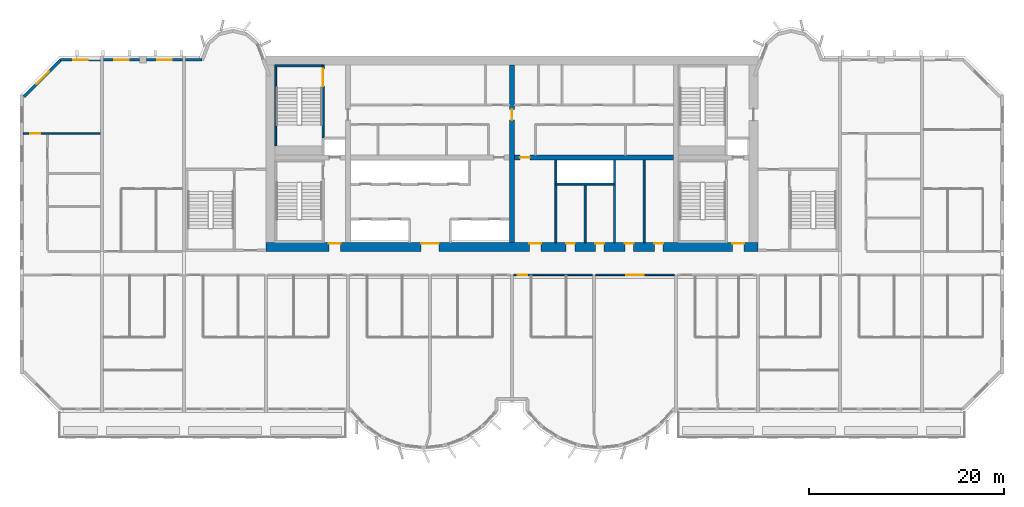
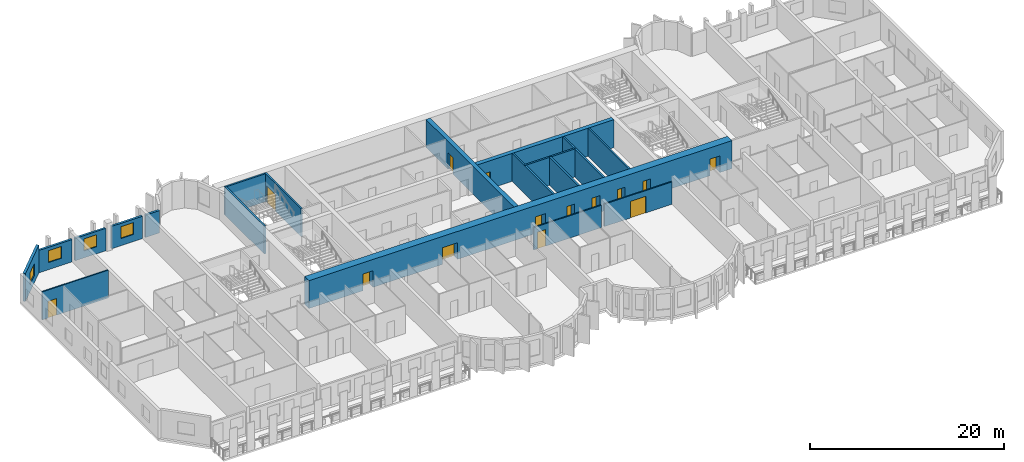
# One storey, part 6 of 14: 19 walls, 14 doors, 4 windows, 18 openings.
"""IFC4 building model written with IfcOpenShell, lengths in metres."""

from ifc_helpers import new_model, si_unit, direction, frame, frame_2d, origin, place, context, subcontext, project, spatial, rectangle, extrude, source, transform, mapped, material, layer, layer_set, type_object, element, fill, save


model = new_model("IFC4")

# Units and contexts
model_context = context("Model", 3, precision=1e-05, world=origin(), true_north=direction((0.0, 1.0)))
body_context = subcontext(model_context, "Body", "Model", "MODEL_VIEW")
ifc_project = project(units=[si_unit("LENGTHUNIT", "METRE"), si_unit("AREAUNIT", "SQUARE_METRE"), si_unit("VOLUMEUNIT", "CUBIC_METRE"), si_unit("PLANEANGLEUNIT", "RADIAN"), si_unit("MASSUNIT", "GRAM", prefix="KILO")], contexts=[model_context])

# Site, building, storey
site_placement = place(None, origin())
site = spatial("IfcSite", under=ifc_project, at=site_placement, CompositionType="ELEMENT")
building_placement = place(site_placement, origin())
building = spatial("IfcBuilding", under=site, at=building_placement, Name="Vanashikhar Sky Hotel", CompositionType="ELEMENT")
storey_placement = place(building_placement, frame((0.0, 0.0, 118.0)))
storey = spatial("IfcBuildingStorey", under=building, at=storey_placement, Name="L28", CompositionType="ELEMENT", Elevation=118.0)

# Wall, openings, doors
ifc_material_1 = material(Name="Concrete M70", Category="concrete")
ifc_layer_1 = layer(ifc_material_1, 0.89990234375)
ifc_layer_set_1 = layer_set([ifc_layer_1], Name="RC core shell wall 900 Concrete M70")
wall_type_1 = type_object("IfcWallType", Name="RC core shell wall 900 Concrete M70", PredefinedType="SHEAR", material=ifc_layer_set_1)
shared_shape_1 = source(origin(), body_context, "Body", "SweptSolid", [
    extrude(rectangle(XDim=50.400146484375, YDim=0.89990234375, at=frame_2d((25.2001953125, 0.0))), origin(), (0.0, 0.0, 1.0), 3.52001953125),
])
wall_1_placement = place(storey_placement, frame((25.199951171875, 22.449951171875, 0.0), z_axis=(0.0, 0.0, 1.0), x_axis=(1.0, 0.0, 0.0)))
wall_1 = element("IfcWall", 1, at=wall_1_placement, inside=storey, type_object=wall_type_1, Name="KW-L28-KS", PredefinedType="SHEAR", context=body_context, shape_type="MappedRepresentation", body=[
    mapped(shared_shape_1, transform((0.0, 0.0, 0.0), scale=1.0)),
])
shared_shape_2 = source(origin(), body_context, "Body", "SweptSolid", [
    extrude(rectangle(XDim=1.800048828125, YDim=2.10009765625, at=frame_2d((0.89990234375, 1.050048828125))), frame((0.0, 0.4599609375, 0.0), z_axis=(0.0, -1.0, 0.0), x_axis=(1.0, 0.0, 0.0)), (0.0, 0.0, 1.0), 0.919921875),
])
opening_1_placement = place(wall_1_placement, frame((15.89990234375, 0.0, 0.0)))
opening_1 = element("IfcOpeningElement", 2, at=opening_1_placement, cuts=wall_1, Name="Opening DC-3-A", PredefinedType="OPENING", context=body_context, shape_type="MappedRepresentation", body=[
    mapped(shared_shape_2, transform((0.0, 0.0, 0.0), scale=1.0)),
])
shared_shape_3 = source(origin(), body_context, "Body", "SweptSolid", [
    extrude(rectangle(XDim=1.199951171875, YDim=2.10009765625, at=frame_2d((0.60009765625, 1.050048828125))), frame((0.0, 0.4599609375, 0.0), z_axis=(0.0, -1.0, 0.0), x_axis=(1.0, 0.0, 0.0)), (0.0, 0.0, 1.0), 0.919921875),
])
opening_2_placement = place(wall_1_placement, frame((26.97509765625, 0.0, 0.0)))
opening_2 = element("IfcOpeningElement", 3, at=opening_2_placement, cuts=wall_1, Name="Opening DC-4-B", PredefinedType="OPENING", context=body_context, shape_type="MappedRepresentation", body=[
    mapped(shared_shape_3, transform((0.0, 0.0, 0.0), scale=1.0)),
])
shared_shape_4 = source(origin(), body_context, "Body", "SweptSolid", [
    extrude(rectangle(XDim=0.89990234375, YDim=2.10009765625, at=frame_2d((0.449951171875, 1.050048828125))), frame((0.0, 0.4599609375, 0.0), z_axis=(0.0, -1.0, 0.0), x_axis=(1.0, 0.0, 0.0)), (0.0, 0.0, 1.0), 0.919921875),
])
opening_3_placement = place(wall_1_placement, frame((33.75, 0.0, 0.0)))
opening_3 = element("IfcOpeningElement", 4, at=opening_3_placement, cuts=wall_1, Name="Opening DC-4-A", PredefinedType="OPENING", context=body_context, shape_type="MappedRepresentation", body=[
    mapped(shared_shape_4, transform((0.0, 0.0, 0.0), scale=1.0)),
])
opening_4_placement = place(wall_1_placement, frame((30.75, 0.0, 0.0)))
opening_4 = element("IfcOpeningElement", 5, at=opening_4_placement, cuts=wall_1, Name="Opening DC-4-A", PredefinedType="OPENING", context=body_context, shape_type="MappedRepresentation", body=[
    mapped(shared_shape_4, transform((0.0, 0.0, 0.0), scale=1.0)),
])
opening_5_placement = place(wall_1_placement, frame((39.7880859375, 0.0, 0.0)))
opening_5 = element("IfcOpeningElement", 6, at=opening_5_placement, cuts=wall_1, Name="Opening DC-4-A", PredefinedType="OPENING", context=body_context, shape_type="MappedRepresentation", body=[
    mapped(shared_shape_4, transform((0.0, 0.0, 0.0), scale=1.0)),
])
opening_6_placement = place(wall_1_placement, frame((36.761962890625, 0.0, 0.0)))
opening_6 = element("IfcOpeningElement", 7, at=opening_6_placement, cuts=wall_1, Name="Opening DC-4-A", PredefinedType="OPENING", context=body_context, shape_type="MappedRepresentation", body=[
    mapped(shared_shape_4, transform((0.0, 0.0, 0.0), scale=1.0)),
])
opening_7_placement = place(wall_1_placement, frame((6.449951171875, 0.0, 0.0)))
opening_7 = element("IfcOpeningElement", 8, at=opening_7_placement, cuts=wall_1, Name="Opening DC-2", PredefinedType="OPENING", context=body_context, shape_type="MappedRepresentation", body=[
    mapped(shared_shape_3, transform((0.0, 0.0, 0.0), scale=1.0)),
])
opening_8_placement = place(wall_1_placement, frame((47.77490234375, 0.0, 0.0)))
opening_8 = element("IfcOpeningElement", 9, at=opening_8_placement, cuts=wall_1, Name="Opening DC-2", PredefinedType="OPENING", context=body_context, shape_type="MappedRepresentation", body=[
    mapped(shared_shape_3, transform((0.0, 0.0, 0.0), scale=1.0)),
])
ifc_material_2 = material(Name="Glass", Category="glass")
door_type_1 = type_object("IfcDoorType", Name="Lift lobby entrance door 1800 FD30S", OperationType="NOTDEFINED", PredefinedType="DOOR", material=ifc_material_2)
shared_shape_5 = source(origin(), body_context, "Body", "SweptSolid", [
    extrude(rectangle(XDim=1.800048828125, YDim=2.10009765625, at=frame_2d((0.89990234375, 1.050048828125))), frame((0.0, 0.375, 0.0), z_axis=(0.0, -1.0, 0.0), x_axis=(1.0, 0.0, 0.0)), (0.0, 0.0, 1.0), 0.050048828125),
])
door_1_placement = place(opening_1_placement, origin())
door_1 = element("IfcDoor", 10, at=door_1_placement, inside=storey, type_object=door_type_1, Name="Lift lobby entrance door 1800 FD30S", OperationType="DOUBLE_DOOR_SINGLE_SWING", OverallHeight=2.10009765625, OverallWidth=1.800048828125, PredefinedType="DOOR", context=body_context, shape_type="MappedRepresentation", body=[
    mapped(shared_shape_5, transform((0.0, 0.0, 0.0), scale=1.0)),
])
fill(opening_1, door_1)
ifc_material_3 = material(Name="Steel", Category="steel")
door_type_2 = type_object("IfcDoorType", Name="Service door 1200 FD60", OperationType="NOTDEFINED", PredefinedType="DOOR", material=ifc_material_3)
shared_shape_6 = source(origin(), body_context, "Body", "SweptSolid", [
    extrude(rectangle(XDim=1.199951171875, YDim=2.10009765625, at=frame_2d((0.60009765625, 1.050048828125))), frame((0.0, 0.375, 0.0), z_axis=(0.0, -1.0, 0.0), x_axis=(1.0, 0.0, 0.0)), (0.0, 0.0, 1.0), 0.050048828125),
])
door_2_placement = place(opening_2_placement, origin())
door_2 = element("IfcDoor", 11, at=door_2_placement, inside=storey, type_object=door_type_2, Name="Service door 1200 FD60", OperationType="SINGLE_SWING_RIGHT", OverallHeight=2.10009765625, OverallWidth=1.199951171875, PredefinedType="DOOR", context=body_context, shape_type="MappedRepresentation", body=[
    mapped(shared_shape_6, transform((0.0, 0.0, 0.0), scale=1.0)),
])
fill(opening_2, door_2)
door_type_3 = type_object("IfcDoorType", Name="Firefighting lobby door 1200 FD120", OperationType="NOTDEFINED", PredefinedType="DOOR", material=ifc_material_3)
door_3_placement = place(opening_7_placement, origin())
door_3 = element("IfcDoor", 12, at=door_3_placement, inside=storey, type_object=door_type_3, Name="Firefighting lobby door 1200 FD120", OperationType="SINGLE_SWING_LEFT", OverallHeight=2.10009765625, OverallWidth=1.199951171875, PredefinedType="DOOR", context=body_context, shape_type="MappedRepresentation", body=[
    mapped(shared_shape_6, transform((0.0, 0.0, 0.0), scale=1.0)),
])
fill(opening_7, door_3)
door_4_placement = place(opening_8_placement, origin())
door_4 = element("IfcDoor", 13, at=door_4_placement, inside=storey, type_object=door_type_3, Name="Firefighting lobby door 1200 FD120", OperationType="SINGLE_SWING_LEFT", OverallHeight=2.10009765625, OverallWidth=1.199951171875, PredefinedType="DOOR", context=body_context, shape_type="MappedRepresentation", body=[
    mapped(shared_shape_6, transform((0.0, 0.0, 0.0), scale=1.0)),
])
fill(opening_8, door_4)
door_type_4 = type_object("IfcDoorType", Name="Service door 900 FD60", OperationType="NOTDEFINED", PredefinedType="DOOR", material=ifc_material_3)
shared_shape_7 = source(origin(), body_context, "Body", "SweptSolid", [
    extrude(rectangle(XDim=0.89990234375, YDim=2.10009765625, at=frame_2d((0.449951171875, 1.050048828125))), frame((0.0, 0.375, 0.0), z_axis=(0.0, -1.0, 0.0), x_axis=(1.0, 0.0, 0.0)), (0.0, 0.0, 1.0), 0.050048828125),
])
door_5_placement = place(opening_3_placement, origin())
door_5 = element("IfcDoor", 14, at=door_5_placement, inside=storey, type_object=door_type_4, Name="Service door 900 FD60", OperationType="SINGLE_SWING_RIGHT", OverallHeight=2.10009765625, OverallWidth=0.89990234375, PredefinedType="DOOR", context=body_context, shape_type="MappedRepresentation", body=[
    mapped(shared_shape_7, transform((0.0, 0.0, 0.0), scale=1.0)),
])
fill(opening_3, door_5)
door_6_placement = place(opening_4_placement, origin())
door_6 = element("IfcDoor", 15, at=door_6_placement, inside=storey, type_object=door_type_4, Name="Service door 900 FD60", OperationType="SINGLE_SWING_LEFT", OverallHeight=2.10009765625, OverallWidth=0.89990234375, PredefinedType="DOOR", context=body_context, shape_type="MappedRepresentation", body=[
    mapped(shared_shape_7, transform((0.0, 0.0, 0.0), scale=1.0)),
])
fill(opening_4, door_6)
door_7_placement = place(opening_5_placement, origin())
door_7 = element("IfcDoor", 16, at=door_7_placement, inside=storey, type_object=door_type_4, Name="Service door 900 FD60", OperationType="SINGLE_SWING_RIGHT", OverallHeight=2.10009765625, OverallWidth=0.89990234375, PredefinedType="DOOR", context=body_context, shape_type="MappedRepresentation", body=[
    mapped(shared_shape_7, transform((0.0, 0.0, 0.0), scale=1.0)),
])
fill(opening_5, door_7)
door_8_placement = place(opening_6_placement, origin())
door_8 = element("IfcDoor", 17, at=door_8_placement, inside=storey, type_object=door_type_4, Name="Service door 900 FD60", OperationType="SINGLE_SWING_LEFT", OverallHeight=2.10009765625, OverallWidth=0.89990234375, PredefinedType="DOOR", context=body_context, shape_type="MappedRepresentation", body=[
    mapped(shared_shape_7, transform((0.0, 0.0, 0.0), scale=1.0)),
])
fill(opening_6, door_8)

# Wall, opening, door
ifc_layer_2 = layer(ifc_material_1, 0.5)
ifc_layer_set_2 = layer_set([ifc_layer_2], Name="RC core inner wall 500 Concrete M70")
wall_type_2 = type_object("IfcWallType", Name="RC core inner wall 500 Concrete M70", PredefinedType="SHEAR", material=ifc_layer_set_2)
shared_shape_8 = source(origin(), body_context, "Body", "SweptSolid", [
    extrude(rectangle(XDim=18.2001953125, YDim=0.5, at=frame_2d((9.10009765625, 0.0))), origin(), (0.0, 0.0, 1.0), 3.52001953125),
])
wall_2_placement = place(storey_placement, frame((50.39990234375, 22.89990234375, 0.0), z_axis=(0.0, 0.0, 1.0), x_axis=(0.0, 1.0, 0.0)))
wall_2 = element("IfcWall", 18, at=wall_2_placement, inside=storey, type_object=wall_type_2, Name="KW-L28-KX2", PredefinedType="SHEAR", context=body_context, shape_type="MappedRepresentation", body=[
    mapped(shared_shape_8, transform((0.0, 0.0, 0.0), scale=1.0)),
])
shared_shape_9 = source(origin(), body_context, "Body", "SweptSolid", [
    extrude(rectangle(XDim=1.10009765625, YDim=2.10009765625, at=frame_2d((0.550048828125, 1.050048828125))), frame((0.0, 0.260009765625, 0.0), z_axis=(0.0, -1.0, 0.0), x_axis=(1.0, 0.0, 0.0)), (0.0, 0.0, 1.0), 0.52001953125),
])
opening_9_placement = place(wall_2_placement, frame((12.550048828125, 0.0, 0.0)))
opening_9 = element("IfcOpeningElement", 19, at=opening_9_placement, cuts=wall_2, Name="Opening DC-4-C", PredefinedType="OPENING", context=body_context, shape_type="MappedRepresentation", body=[
    mapped(shared_shape_9, transform((0.0, 0.0, 0.0), scale=1.0)),
])
door_type_5 = type_object("IfcDoorType", Name="Service door 1100 FD60", OperationType="NOTDEFINED", PredefinedType="DOOR", material=ifc_material_3)
shared_shape_10 = source(origin(), body_context, "Body", "SweptSolid", [
    extrude(rectangle(XDim=1.10009765625, YDim=2.10009765625, at=frame_2d((0.550048828125, 1.050048828125))), frame((0.0, 0.02490234375, 0.0), z_axis=(0.0, -1.0, 0.0), x_axis=(1.0, 0.0, 0.0)), (0.0, 0.0, 1.0), 0.050048828125),
])
door_9_placement = place(opening_9_placement, origin())
door_9 = element("IfcDoor", 20, at=door_9_placement, inside=storey, type_object=door_type_5, Name="Service door 1100 FD60", OperationType="SINGLE_SWING_RIGHT", OverallHeight=2.10009765625, OverallWidth=1.10009765625, PredefinedType="DOOR", context=body_context, shape_type="MappedRepresentation", body=[
    mapped(shared_shape_10, transform((0.0, 0.0, 0.0), scale=1.0)),
])
fill(opening_9, door_9)

shared_shape_11 = source(origin(), body_context, "Body", "SweptSolid", [
    extrude(rectangle(XDim=16.300048828125, YDim=0.5, at=frame_2d((8.14990234375, 0.0))), origin(), (0.0, 0.0, 1.0), 3.52001953125),
])
wall_3_placement = place(storey_placement, frame((50.64990234375, 31.60009765625, 0.0), z_axis=(0.0, 0.0, 1.0), x_axis=(1.0, 0.0, 0.0)))
wall_3 = element("IfcWall", 21, at=wall_3_placement, inside=storey, type_object=wall_type_2, Name="KW-L28-KY3", PredefinedType="SHEAR", context=body_context, shape_type="MappedRepresentation", body=[
    mapped(shared_shape_11, transform((0.0, 0.0, 0.0), scale=1.0)),
])
shared_shape_12 = source(origin(), body_context, "Body", "SweptSolid", [
    extrude(rectangle(XDim=1.0, YDim=2.10009765625, at=frame_2d((0.5, 1.050048828125))), frame((0.0, 0.260009765625, 0.0), z_axis=(0.0, -1.0, 0.0), x_axis=(1.0, 0.0, 0.0)), (0.0, 0.0, 1.0), 0.52001953125),
])
opening_10_placement = place(wall_3_placement, frame((0.574951171875, 0.0, 0.0)))
opening_10 = element("IfcOpeningElement", 22, at=opening_10_placement, cuts=wall_3, Name="Opening DC-4", PredefinedType="OPENING", context=body_context, shape_type="MappedRepresentation", body=[
    mapped(shared_shape_12, transform((0.0, 0.0, 0.0), scale=1.0)),
])
door_type_6 = type_object("IfcDoorType", Name="Service door 1000 FD60", OperationType="NOTDEFINED", PredefinedType="DOOR", material=ifc_material_3)
shared_shape_13 = source(origin(), body_context, "Body", "SweptSolid", [
    extrude(rectangle(XDim=1.0, YDim=2.10009765625, at=frame_2d((0.5, 1.050048828125))), frame((0.0, 0.02490234375, 0.0), z_axis=(0.0, -1.0, 0.0), x_axis=(1.0, 0.0, 0.0)), (0.0, 0.0, 1.0), 0.050048828125),
])
door_10_placement = place(opening_10_placement, origin())
door_10 = element("IfcDoor", 23, at=door_10_placement, inside=storey, type_object=door_type_6, Name="Service door 1000 FD60", OperationType="SINGLE_SWING_RIGHT", OverallHeight=2.10009765625, OverallWidth=1.0, PredefinedType="DOOR", context=body_context, shape_type="MappedRepresentation", body=[
    mapped(shared_shape_13, transform((0.0, 0.0, 0.0), scale=1.0)),
])
fill(opening_10, door_10)

# Wall, opening, window
ifc_material_4 = material(Name="Concrete M50", Category="concrete")
ifc_layer_3 = layer(ifc_material_4, 0.300048828125)
ifc_layer_set_3 = layer_set([ifc_layer_3], Name="Lobe wall 300")
wall_type_3 = type_object("IfcWallType", Name="Lobe wall 300", PredefinedType="SOLIDWALL", material=ifc_layer_set_3)
shared_shape_14 = source(origin(), body_context, "Body", "SweptSolid", [
    extrude(rectangle(XDim=5.32568359375, YDim=0.300048828125, at=frame_2d((2.662841796875, 0.0))), origin(), (0.0, 0.0, 1.0), 3.52001953125),
])
wall_4_placement = place(storey_placement, frame((4.165771484375, 41.60009765625, 0.0), z_axis=(0.0, 0.0, 1.0), x_axis=(-0.707106781187, -0.707106781187, 0.0)))
wall_4 = element("IfcWall", 24, at=wall_4_placement, inside=storey, type_object=wall_type_3, Name="Corner wall", PredefinedType="SOLIDWALL", context=body_context, shape_type="MappedRepresentation", body=[
    mapped(shared_shape_14, transform((0.0, 0.0, 0.0), scale=1.0)),
])
shared_shape_15 = source(origin(), body_context, "Body", "SweptSolid", [
    extrude(rectangle(XDim=1.800048828125, YDim=1.5, at=frame_2d((0.89990234375, 0.75))), frame((0.0, 0.16015625, 0.0), z_axis=(0.0, -1.0, 0.0), x_axis=(1.0, 0.0, 0.0)), (0.0, 0.0, 1.0), 0.320068359375),
])
opening_11_placement = place(wall_4_placement, frame((1.671875, 0.0, 0.89990234375)))
opening_11 = element("IfcOpeningElement", 25, at=opening_11_placement, cuts=wall_4, Name="Opening WN-4", PredefinedType="OPENING", context=body_context, shape_type="MappedRepresentation", body=[
    mapped(shared_shape_15, transform((0.0, 0.0, 0.0), scale=1.0)),
])
window_type_1 = type_object("IfcWindowType", Name="Corner window 1800 x 1500", PartitioningType="SINGLE_PANEL", PredefinedType="WINDOW", material=ifc_material_2)
shared_shape_16 = source(origin(), body_context, "Body", "SweptSolid", [
    extrude(rectangle(XDim=1.800048828125, YDim=1.5, at=frame_2d((0.89990234375, 0.75))), frame((0.0, 0.030029296875, 0.0), z_axis=(0.0, -1.0, 0.0), x_axis=(1.0, 0.0, 0.0)), (0.0, 0.0, 1.0), 0.06005859375),
])
window_1_placement = place(opening_11_placement, origin())
window_1 = element("IfcWindow", 26, at=window_1_placement, inside=storey, type_object=window_type_1, Name="Window WN-4", OverallHeight=1.5, OverallWidth=1.800048828125, PartitioningType="SINGLE_PANEL", PredefinedType="WINDOW", context=body_context, shape_type="MappedRepresentation", body=[
    mapped(shared_shape_16, transform((0.0, 0.0, 0.0), scale=1.0)),
])
fill(opening_11, window_1)

ifc_layer_4 = layer(ifc_material_4, 0.25)
ifc_layer_set_4 = layer_set([ifc_layer_4], Name="Rear and end board-marked wall 250")
wall_type_4 = type_object("IfcWallType", Name="Rear and end board-marked wall 250", PredefinedType="SOLIDWALL", material=ifc_layer_set_4)
shared_shape_17 = source(origin(), body_context, "Body", "SweptSolid", [
    extrude(rectangle(XDim=4.06982421875, YDim=0.25, at=frame_2d((2.034912109375, 0.0))), origin(), (0.0, 0.0, 1.0), 2.820068359375),
])
wall_5_placement = place(storey_placement, frame((8.22509765625, 41.625, 0.0), z_axis=(0.0, 0.0, 1.0), x_axis=(-1.0, 0.0, 0.0)))
wall_5 = element("IfcWall", 27, at=wall_5_placement, inside=storey, type_object=wall_type_4, Name="Rear board-marked wall", PredefinedType="SOLIDWALL", context=body_context, shape_type="MappedRepresentation", body=[
    mapped(shared_shape_17, transform((0.0, 0.0, 0.0), scale=1.0)),
])
shared_shape_18 = source(origin(), body_context, "Body", "SweptSolid", [
    extrude(rectangle(XDim=1.5, YDim=1.5, at=frame_2d((0.75, 0.75))), frame((0.0, 0.135009765625, 0.0), z_axis=(0.0, -1.0, 0.0), x_axis=(1.0, 0.0, 0.0)), (0.0, 0.0, 1.0), 0.27001953125),
])
opening_12_placement = place(wall_5_placement, frame((1.284912109375, 0.0, 0.89990234375)))
opening_12 = element("IfcOpeningElement", 28, at=opening_12_placement, cuts=wall_5, Name="Opening WN-1", PredefinedType="OPENING", context=body_context, shape_type="MappedRepresentation", body=[
    mapped(shared_shape_18, transform((0.0, 0.0, 0.0), scale=1.0)),
])
window_type_2 = type_object("IfcWindowType", Name="Window 1500 x 1500", PartitioningType="SINGLE_PANEL", PredefinedType="WINDOW", material=ifc_material_2)
shared_shape_19 = source(origin(), body_context, "Body", "SweptSolid", [
    extrude(rectangle(XDim=1.5, YDim=1.5, at=frame_2d((0.75, 0.75))), frame((0.0, 0.030029296875, 0.0), z_axis=(0.0, -1.0, 0.0), x_axis=(1.0, 0.0, 0.0)), (0.0, 0.0, 1.0), 0.06005859375),
])
window_2_placement = place(opening_12_placement, origin())
window_2 = element("IfcWindow", 29, at=window_2_placement, inside=storey, type_object=window_type_2, Name="Window WN-1", OverallHeight=1.5, OverallWidth=1.5, PartitioningType="SINGLE_PANEL", PredefinedType="WINDOW", context=body_context, shape_type="MappedRepresentation", body=[
    mapped(shared_shape_19, transform((0.0, 0.0, 0.0), scale=1.0)),
])
fill(opening_12, window_2)

shared_shape_20 = source(origin(), body_context, "Body", "SweptSolid", [
    extrude(rectangle(XDim=3.675048828125, YDim=0.25, at=frame_2d((1.83740234375, 0.0))), origin(), (0.0, 0.0, 1.0), 2.820068359375),
])
wall_6_placement = place(storey_placement, frame((12.25, 41.625, 0.0), z_axis=(0.0, 0.0, 1.0), x_axis=(-1.0, 0.0, 0.0)))
wall_6 = element("IfcWall", 30, at=wall_6_placement, inside=storey, type_object=wall_type_4, Name="Rear board-marked wall", PredefinedType="SOLIDWALL", context=body_context, shape_type="MappedRepresentation", body=[
    mapped(shared_shape_20, transform((0.0, 0.0, 0.0), scale=1.0)),
])
opening_13_placement = place(wall_6_placement, frame((1.08740234375, 0.0, 0.89990234375)))
opening_13 = element("IfcOpeningElement", 31, at=opening_13_placement, cuts=wall_6, Name="Opening WN-1", PredefinedType="OPENING", context=body_context, shape_type="MappedRepresentation", body=[
    mapped(shared_shape_18, transform((0.0, 0.0, 0.0), scale=1.0)),
])
window_3_placement = place(opening_13_placement, origin())
window_3 = element("IfcWindow", 32, at=window_3_placement, inside=storey, type_object=window_type_2, Name="Window WN-1", OverallHeight=1.5, OverallWidth=1.5, PartitioningType="SINGLE_PANEL", PredefinedType="WINDOW", context=body_context, shape_type="MappedRepresentation", body=[
    mapped(shared_shape_19, transform((0.0, 0.0, 0.0), scale=1.0)),
])
fill(opening_13, window_3)

wall_7_placement = place(storey_placement, frame((16.625, 41.625, 0.0), z_axis=(0.0, 0.0, 1.0), x_axis=(-1.0, 0.0, 0.0)))
wall_7 = element("IfcWall", 33, at=wall_7_placement, inside=storey, type_object=wall_type_4, Name="Rear board-marked wall", PredefinedType="SOLIDWALL", context=body_context, shape_type="MappedRepresentation", body=[
    mapped(shared_shape_20, transform((0.0, 0.0, 0.0), scale=1.0)),
])
opening_14_placement = place(wall_7_placement, frame((1.08740234375, 0.0, 0.89990234375)))
opening_14 = element("IfcOpeningElement", 34, at=opening_14_placement, cuts=wall_7, Name="Opening WN-1", PredefinedType="OPENING", context=body_context, shape_type="MappedRepresentation", body=[
    mapped(shared_shape_18, transform((0.0, 0.0, 0.0), scale=1.0)),
])
window_4_placement = place(opening_14_placement, origin())
window_4 = element("IfcWindow", 35, at=window_4_placement, inside=storey, type_object=window_type_2, Name="Window WN-1", OverallHeight=1.5, OverallWidth=1.5, PartitioningType="SINGLE_PANEL", PredefinedType="WINDOW", context=body_context, shape_type="MappedRepresentation", body=[
    mapped(shared_shape_19, transform((0.0, 0.0, 0.0), scale=1.0)),
])
fill(opening_14, window_4)

# Walls
shared_shape_21 = source(origin(), body_context, "Body", "SweptSolid", [
    extrude(rectangle(XDim=1.682861328125, YDim=0.25, at=frame_2d((0.84130859375, 0.0))), origin(), (0.0, 0.0, 1.0), 2.820068359375),
])
wall_8_placement = place(storey_placement, frame((18.657958984375, 41.625, 0.0), z_axis=(0.0, 0.0, 1.0), x_axis=(-1.0, 0.0, 0.0)))
element("IfcWall", 36, at=wall_8_placement, inside=storey, type_object=wall_type_4, Name="Rear board-marked wall", PredefinedType="SOLIDWALL", context=body_context, shape_type="MappedRepresentation", body=[
    mapped(shared_shape_21, transform((0.0, 0.0, 0.0), scale=1.0)),
])
ifc_material_5 = material(Name="Concrete M40", Category="concrete")
ifc_layer_5 = layer(ifc_material_5, 0.199951171875)
ifc_layer_set_5 = layer_set([ifc_layer_5], Name="Shaft wall 200")
wall_type_5 = type_object("IfcWallType", Name="Shaft wall 200", PredefinedType="SOLIDWALL", material=ifc_layer_set_5)
shared_shape_22 = source(origin(), body_context, "Body", "SweptSolid", [
    extrude(rectangle(XDim=6.0, YDim=0.199951171875, at=frame_2d((3.0, 0.0))), origin(), (0.0, 0.0, 1.0), 3.52001953125),
])
wall_9_placement = place(storey_placement, frame((60.89990234375, 28.89990234375, 0.0), z_axis=(0.0, 0.0, 1.0), x_axis=(-1.0, 0.0, 0.0)))
element("IfcWall", 37, at=wall_9_placement, inside=storey, type_object=wall_type_5, Name="Shaft wall 200", PredefinedType="SOLIDWALL", context=body_context, shape_type="MappedRepresentation", body=[
    mapped(shared_shape_22, transform((0.0, 0.0, 0.0), scale=1.0)),
])
ifc_material_6 = material(Name="Gypsum board partition")
ifc_layer_6 = layer(ifc_material_6, 0.14990234375)
ifc_layer_set_6 = layer_set([ifc_layer_6], Name="Service partition 150")
wall_type_6 = type_object("IfcWallType", Name="Service partition 150", PredefinedType="PARTITIONING", material=ifc_layer_set_6)
wall_10_placement = place(storey_placement, frame((57.89990234375, 22.89990234375, 0.0), z_axis=(0.0, 0.0, 1.0), x_axis=(0.0, 1.0, 0.0)))
element("IfcWall", 38, at=wall_10_placement, inside=storey, type_object=wall_type_6, Name="Service partition 150", PredefinedType="PARTITIONING", context=body_context, shape_type="MappedRepresentation", body=[
    mapped(shared_shape_22, transform((0.0, 0.0, 0.0), scale=1.0)),
])
shared_shape_23 = source(origin(), body_context, "Body", "SweptSolid", [
    extrude(rectangle(XDim=8.4501953125, YDim=0.199951171875, at=frame_2d((4.22509765625, 0.0))), origin(), (0.0, 0.0, 1.0), 3.52001953125),
])
for number, where, z_axis, x_axis, name in (
    (39, (54.89990234375, 22.89990234375, 0.0), (0.0, 0.0, 1.0), (0.0, 1.0, 0.0), "Service partition 150"),
    (40, (60.89990234375, 22.89990234375, 0.0), (0.0, 0.0, 1.0), (0.0, 1.0, 0.0), "Service partition 150"),
    (41, (63.925048828125, 22.89990234375, 0.0), (0.0, 0.0, 1.0), (0.0, 1.0, 0.0), "Service partition 150"),
):
    element("IfcWall", number, at=place(storey_placement, frame(where, z_axis=z_axis, x_axis=x_axis)), inside=storey, type_object=wall_type_6, Name=name, PredefinedType="PARTITIONING", context=body_context, shape_type="MappedRepresentation", body=[
        mapped(shared_shape_23, transform((0.0, 0.0, 0.0), scale=1.0)),
    ])

# Wall, opening, door
ifc_layer_7 = layer(ifc_material_4, 0.199951171875)
ifc_layer_set_7 = layer_set([ifc_layer_7], Name="Stair wall 200")
wall_type_7 = type_object("IfcWallType", Name="Stair wall 200", PredefinedType="SOLIDWALL", material=ifc_layer_set_7)
shared_shape_24 = source(origin(), body_context, "Body", "SweptSolid", [
    extrude(rectangle(XDim=7.5, YDim=0.199951171875, at=frame_2d((3.75, 0.0))), origin(), (0.0, 0.0, 1.0), 3.52001953125),
])
wall_11_placement = place(storey_placement, frame((31.050048828125, 33.60009765625, 0.0), z_axis=(0.0, 0.0, 1.0), x_axis=(0.0, 1.0, 0.0)))
wall_11 = element("IfcWall", 42, at=wall_11_placement, inside=storey, type_object=wall_type_7, Name="Stair wall 200", PredefinedType="SOLIDWALL", context=body_context, shape_type="MappedRepresentation", body=[
    mapped(shared_shape_24, transform((0.0, 0.0, 0.0), scale=1.0)),
])
shared_shape_25 = source(origin(), body_context, "Body", "SweptSolid", [
    extrude(rectangle(XDim=1.800048828125, YDim=2.10009765625, at=frame_2d((0.89990234375, 1.050048828125))), frame((0.0, 0.10986328125, 0.0), z_axis=(0.0, -1.0, 0.0), x_axis=(1.0, 0.0, 0.0)), (0.0, 0.0, 1.0), 0.219970703125),
])
opening_15_placement = place(wall_11_placement, frame((5.300048828125, 0.0, 0.0)))
opening_15 = element("IfcOpeningElement", 43, at=opening_15_placement, cuts=wall_11, Name="Opening DC-1-A", PredefinedType="OPENING", context=body_context, shape_type="MappedRepresentation", body=[
    mapped(shared_shape_25, transform((0.0, 0.0, 0.0), scale=1.0)),
])
door_type_7 = type_object("IfcDoorType", Name="Stair door 1800 FD120", OperationType="NOTDEFINED", PredefinedType="DOOR", material=ifc_material_3)
shared_shape_26 = source(origin(), body_context, "Body", "SweptSolid", [
    extrude(rectangle(XDim=1.800048828125, YDim=2.10009765625, at=frame_2d((0.89990234375, 1.050048828125))), frame((0.0, 0.02490234375, 0.0), z_axis=(0.0, -1.0, 0.0), x_axis=(1.0, 0.0, 0.0)), (0.0, 0.0, 1.0), 0.050048828125),
])
door_11_placement = place(opening_15_placement, origin())
door_11 = element("IfcDoor", 44, at=door_11_placement, inside=storey, type_object=door_type_7, Name="Stair door 1800 FD120", OperationType="SINGLE_SWING_LEFT", OverallHeight=2.10009765625, OverallWidth=1.800048828125, PredefinedType="DOOR", context=body_context, shape_type="MappedRepresentation", body=[
    mapped(shared_shape_26, transform((0.0, 0.0, 0.0), scale=1.0)),
])
fill(opening_15, door_11)

# Walls
ifc_layer_8 = layer(ifc_material_4, 0.199951171875)
ifc_layer_set_8 = layer_set([ifc_layer_8], Name="Stair infill wall 200")
wall_type_8 = type_object("IfcWallType", Name="Stair infill wall 200", PredefinedType="SOLIDWALL", material=ifc_layer_set_8)
shared_shape_27 = source(origin(), body_context, "Body", "SweptSolid", [
    extrude(rectangle(XDim=4.849853515625, YDim=0.199951171875, at=frame_2d((2.4248046875, 0.0))), origin(), (0.0, 0.0, 1.0), 3.52001953125),
])
wall_12_placement = place(storey_placement, frame((26.10009765625, 41.0, 0.0), z_axis=(0.0, 0.0, 1.0), x_axis=(1.0, 0.0, 0.0)))
element("IfcWall", 45, at=wall_12_placement, inside=storey, type_object=wall_type_8, Name="Stair infill wall 200", PredefinedType="SOLIDWALL", context=body_context, shape_type="MappedRepresentation", body=[
    mapped(shared_shape_27, transform((0.0, 0.0, 0.0), scale=1.0)),
])
shared_shape_28 = source(origin(), body_context, "Body", "SweptSolid", [
    extrude(rectangle(XDim=8.099853515625, YDim=0.199951171875, at=frame_2d((4.0498046875, 0.0))), origin(), (0.0, 0.0, 1.0), 3.52001953125),
])
wall_13_placement = place(storey_placement, frame((26.199951171875, 32.800048828125, 0.0), z_axis=(0.0, 0.0, 1.0), x_axis=(0.0, 1.0, 0.0)))
element("IfcWall", 46, at=wall_13_placement, inside=storey, type_object=wall_type_8, Name="Stair infill wall 200", PredefinedType="SOLIDWALL", context=body_context, shape_type="MappedRepresentation", body=[
    mapped(shared_shape_28, transform((0.0, 0.0, 0.0), scale=1.0)),
])

# Wall, opening, door
ifc_material_7 = material(Name="Gypsum plasterboard partition")
ifc_layer_9 = layer(ifc_material_7, 0.14990234375)
ifc_layer_set_9 = layer_set([ifc_layer_9], Name="Corridor and demising partition 150")
wall_type_9 = type_object("IfcWallType", Name="Corridor and demising partition 150", PredefinedType="PARTITIONING", material=ifc_layer_set_9)
shared_shape_29 = source(origin(), body_context, "Body", "SweptSolid", [
    extrude(rectangle(XDim=8.050048828125, YDim=0.14990234375, at=frame_2d((4.02490234375, 0.0))), origin(), (0.0, 0.0, 1.0), 2.820068359375),
])
wall_14_placement = place(storey_placement, frame((50.574951171875, 19.60009765625, 0.0), z_axis=(0.0, 0.0, 1.0), x_axis=(1.0, 0.0, 0.0)))
wall_14 = element("IfcWall", 47, at=wall_14_placement, inside=storey, type_object=wall_type_9, Name="W-L28-PW032", PredefinedType="PARTITIONING", context=body_context, shape_type="MappedRepresentation", body=[
    mapped(shared_shape_29, transform((0.0, 0.0, 0.0), scale=1.0)),
])
shared_shape_30 = source(origin(), body_context, "Body", "SweptSolid", [
    extrude(rectangle(XDim=1.0, YDim=2.10009765625, at=frame_2d((0.5, 1.050048828125))), frame((0.0, 0.0849609375, 0.0), z_axis=(0.0, -1.0, 0.0), x_axis=(1.0, 0.0, 0.0)), (0.0, 0.0, 1.0), 0.169921875),
])
opening_16_placement = place(wall_14_placement, frame((0.39990234375, 0.0, 0.0)))
opening_16 = element("IfcOpeningElement", 48, at=opening_16_placement, cuts=wall_14, Name="Opening D-01", PredefinedType="OPENING", context=body_context, shape_type="MappedRepresentation", body=[
    mapped(shared_shape_30, transform((0.0, 0.0, 0.0), scale=1.0)),
])
ifc_material_8 = material(Name="Timber fire door", Category="wood")
door_type_8 = type_object("IfcDoorType", Name="Guest entry door 1000 FD30S", OperationType="NOTDEFINED", PredefinedType="DOOR", material=ifc_material_8)
door_12_placement = place(opening_16_placement, origin())
door_12 = element("IfcDoor", 49, at=door_12_placement, inside=storey, type_object=door_type_8, Name="D-L28-020", OperationType="SINGLE_SWING_LEFT", OverallHeight=2.10009765625, OverallWidth=1.0, PredefinedType="DOOR", context=body_context, shape_type="MappedRepresentation", body=[
    mapped(shared_shape_13, transform((0.0, 0.0, 0.0), scale=1.0)),
])
fill(opening_16, door_12)

shared_shape_31 = source(origin(), body_context, "Body", "SweptSolid", [
    extrude(rectangle(XDim=8.0498046875, YDim=0.14990234375, at=frame_2d((4.02490234375, 0.0))), origin(), (0.0, 0.0, 1.0), 2.820068359375),
])
wall_15_placement = place(storey_placement, frame((58.97509765625, 19.60009765625, 0.0), z_axis=(0.0, 0.0, 1.0), x_axis=(1.0, 0.0, 0.0)))
wall_15 = element("IfcWall", 50, at=wall_15_placement, inside=storey, type_object=wall_type_9, Name="W-L28-PW033", PredefinedType="PARTITIONING", context=body_context, shape_type="MappedRepresentation", body=[
    mapped(shared_shape_31, transform((0.0, 0.0, 0.0), scale=1.0)),
])
shared_shape_32 = source(origin(), body_context, "Body", "SweptSolid", [
    extrude(rectangle(XDim=1.800048828125, YDim=2.10009765625, at=frame_2d((0.89990234375, 1.050048828125))), frame((0.0, 0.0849609375, 0.0), z_axis=(0.0, -1.0, 0.0), x_axis=(1.0, 0.0, 0.0)), (0.0, 0.0, 1.0), 0.169921875),
])
opening_17_placement = place(wall_15_placement, frame((3.125, 0.0, 0.0)))
opening_17 = element("IfcOpeningElement", 51, at=opening_17_placement, cuts=wall_15, Name="Opening D-03", PredefinedType="OPENING", context=body_context, shape_type="MappedRepresentation", body=[
    mapped(shared_shape_32, transform((0.0, 0.0, 0.0), scale=1.0)),
])
door_type_9 = type_object("IfcDoorType", Name="Double leaf door 1800 FD30S", OperationType="NOTDEFINED", PredefinedType="DOOR", material=ifc_material_8)
door_13_placement = place(opening_17_placement, origin())
door_13 = element("IfcDoor", 52, at=door_13_placement, inside=storey, type_object=door_type_9, Name="D-L28-021", OperationType="DOUBLE_DOOR_SINGLE_SWING", OverallHeight=2.10009765625, OverallWidth=1.800048828125, PredefinedType="DOOR", context=body_context, shape_type="MappedRepresentation", body=[
    mapped(shared_shape_26, transform((0.0, 0.0, 0.0), scale=1.0)),
])
fill(opening_17, door_13)

shared_shape_33 = source(origin(), body_context, "Body", "SweptSolid", [
    extrude(rectangle(XDim=7.875, YDim=0.14990234375, at=frame_2d((3.9375, 0.0))), origin(), (0.0, 0.0, 1.0), 3.52001953125),
])
wall_16_placement = place(storey_placement, frame((0.35009765625, 34.074951171875, 0.0), z_axis=(0.0, 0.0, 1.0), x_axis=(1.0, 0.0, 0.0)))
wall_16 = element("IfcWall", 53, at=wall_16_placement, inside=storey, type_object=wall_type_9, Name="W-L28-PW065", PredefinedType="PARTITIONING", context=body_context, shape_type="MappedRepresentation", body=[
    mapped(shared_shape_33, transform((0.0, 0.0, 0.0), scale=1.0)),
])
opening_18_placement = place(wall_16_placement, frame((0.699951171875, 0.0, 0.0)))
opening_18 = element("IfcOpeningElement", 54, at=opening_18_placement, cuts=wall_16, Name="Opening D-01", PredefinedType="OPENING", context=body_context, shape_type="MappedRepresentation", body=[
    mapped(shared_shape_30, transform((0.0, 0.0, 0.0), scale=1.0)),
])
door_14_placement = place(opening_18_placement, origin())
door_14 = element("IfcDoor", 55, at=door_14_placement, inside=storey, type_object=door_type_8, Name="D-L28-039", OperationType="SINGLE_SWING_LEFT", OverallHeight=2.10009765625, OverallWidth=1.0, PredefinedType="DOOR", context=body_context, shape_type="MappedRepresentation", body=[
    mapped(shared_shape_13, transform((0.0, 0.0, 0.0), scale=1.0)),
])
fill(opening_18, door_14)

save(model, "model.ifc")
